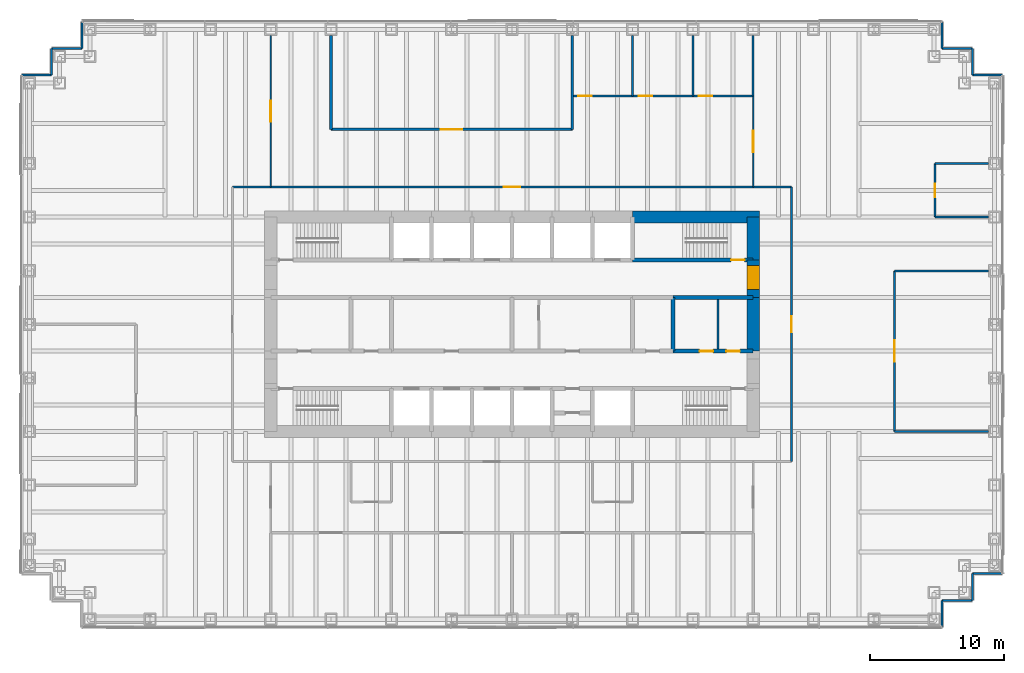
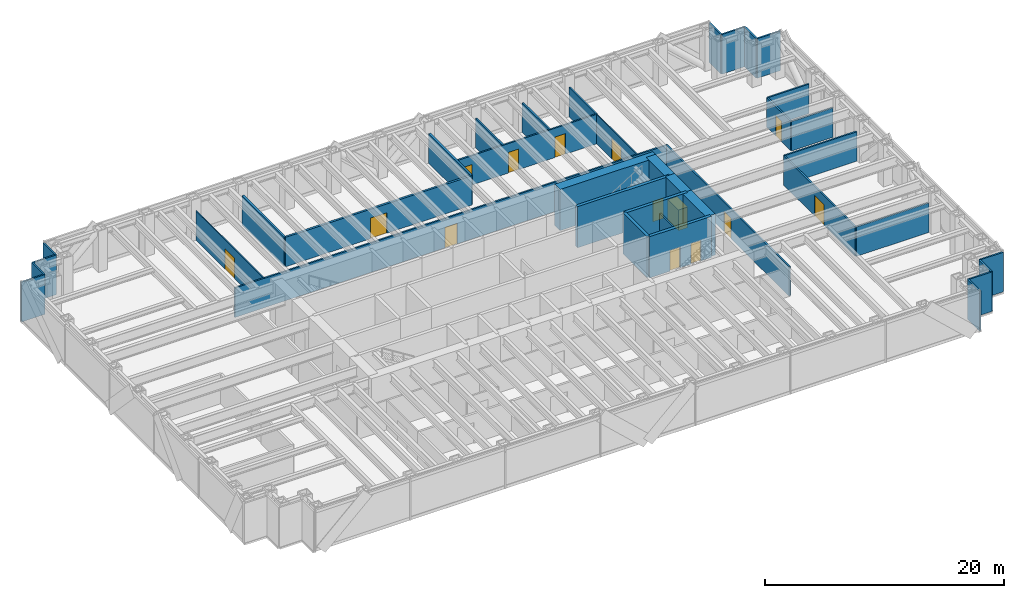
# One storey, part 13 of 15: 38 walls, 14 doors, 14 openings.
"""IFC4 building model written with IfcOpenShell, lengths in metres."""

from ifc_helpers import new_model, si_unit, direction, frame, frame_2d, origin, place, context, subcontext, project, spatial, rectangle, extrude, material, layer, layer_set, type_object, element, fill, save


model = new_model("IFC4")

# Units and contexts
model_context = context("Model", 3, precision=1e-05, world=origin(), true_north=direction((0.0, 1.0)))
body_context = subcontext(model_context, "Body", "Model", "MODEL_VIEW")
ifc_project = project(units=[si_unit("LENGTHUNIT", "METRE"), si_unit("AREAUNIT", "SQUARE_METRE"), si_unit("VOLUMEUNIT", "CUBIC_METRE"), si_unit("PLANEANGLEUNIT", "RADIAN"), si_unit("MASSUNIT", "GRAM", prefix="KILO")], contexts=[model_context])

# Site, building, storey
site_placement = place(None, origin())
site = spatial("IfcSite", under=ifc_project, at=site_placement, CompositionType="ELEMENT")
building_placement = place(site_placement, origin())
building = spatial("IfcBuilding", under=site, at=building_placement, Name="Rheinbord Bourse Tower", CompositionType="ELEMENT")
storey_placement = place(building_placement, frame((0.0, 0.0, 155.10009765625)))
storey = spatial("IfcBuildingStorey", under=building, at=storey_placement, Name="L34", CompositionType="ELEMENT", Elevation=155.10009765625)

# Wall, opening, door
ifc_material_1 = material(Name="Acoustic gypsum board partition", Category="gypsum board")
ifc_layer_1 = layer(ifc_material_1, 0.199951171875)
ifc_layer_set_1 = layer_set([ifc_layer_1], Name="ACOUSTIC PARTITION 200")
wall_type_1 = type_object("IfcWallType", Name="ACOUSTIC PARTITION 200", PredefinedType="PARTITIONING", material=ifc_layer_set_1)
wall_1_placement = place(storey_placement, frame((22.5, 38.550048828125, 0.0), z_axis=(0.0, 0.0, 1.0), x_axis=(1.0, 0.0, 0.0)))
wall_1 = element("IfcWall", 1, at=wall_1_placement, inside=storey, type_object=wall_type_1, Name="Partition L34-12", PredefinedType="PARTITIONING", context=body_context, shape_type="SweptSolid", body=[
    extrude(rectangle(XDim=18.0, YDim=0.199951171875, at=frame_2d((9.0, 0.0))), origin(), (0.0, 0.0, 1.0), 3.0),
])
opening_1_placement = place(wall_1_placement, frame((8.199951171875, 0.0, 0.0)))
opening_1 = element("IfcOpeningElement", 2, at=opening_1_placement, cuts=wall_1, Name="Opening 34D10", PredefinedType="OPENING", context=body_context, shape_type="SweptSolid", body=[
    extrude(rectangle(XDim=1.60009765625, YDim=2.10009765625, at=frame_2d((0.800048828125, 1.050048828125))), frame((0.0, 0.10986328125, 0.0), z_axis=(0.0, -1.0, 0.0), x_axis=(1.0, 0.0, 0.0)), (0.0, 0.0, 1.0), 0.219970703125),
])
ifc_material_2 = material(Name="Timber door", Category="wood")
door_type_1 = type_object("IfcDoorType", Name="DOUBLE ROOM DOOR 1600", OperationType="DOUBLE_DOOR_DOUBLE_SWING", PredefinedType="DOOR", material=ifc_material_2)
door_1_placement = place(opening_1_placement, origin())
door_1 = element("IfcDoor", 3, at=door_1_placement, inside=storey, type_object=door_type_1, Name="Trading simulation room door L34", OperationType="SINGLE_SWING_LEFT", OverallHeight=2.10009765625, OverallWidth=1.60009765625, PredefinedType="DOOR", context=body_context, shape_type="SweptSolid", body=[
    extrude(rectangle(XDim=1.60009765625, YDim=2.10009765625, at=frame_2d((0.800048828125, 1.050048828125))), frame((0.0, 0.02490234375, 0.0), z_axis=(0.0, -1.0, 0.0), x_axis=(1.0, 0.0, 0.0)), (0.0, 0.0, 1.0), 0.050048828125),
])
fill(opening_1, door_1)

# Walls
for number, where, z_axis, x_axis, name in (
    (4, (22.5, 38.550048828125, 0.0), (0.0, 0.0, 1.0), (0.0, 1.0, 0.0), "Partition L34-19"),
    (5, (40.5, 38.550048828125, 0.0), (0.0, 0.0, 1.0), (0.0, 1.0, 0.0), "Partition L34-24"),
):
    element("IfcWall", number, at=place(storey_placement, frame(where, z_axis=z_axis, x_axis=x_axis)), inside=storey, type_object=wall_type_1, Name=name, PredefinedType="PARTITIONING", context=body_context, shape_type="SweptSolid", body=[
        extrude(rectangle(XDim=7.0, YDim=0.199951171875, at=frame_2d((3.5, 0.0))), origin(), (0.0, 0.0, 1.0), 3.0),
    ])

# Wall, opening, door
ifc_material_3 = material(Name="Concrete C50/60", Category="concrete")
ifc_layer_2 = layer(ifc_material_3, 0.300048828125)
ifc_layer_set_2 = layer_set([ifc_layer_2], Name="CORE INNER WALL 300")
wall_type_2 = type_object("IfcWallType", Name="CORE INNER WALL 300", PredefinedType="SOLIDWALL", material=ifc_layer_set_2)
wall_2_placement = place(storey_placement, frame((45.0, 28.800048828125, 0.0), z_axis=(0.0, 0.0, 1.0), x_axis=(1.0, 0.0, 0.0)))
wall_2 = element("IfcWall", 6, at=wall_2_placement, inside=storey, type_object=wall_type_2, Name="Core wall B8 L34", PredefinedType="SOLIDWALL", context=body_context, shape_type="SweptSolid", body=[
    extrude(rectangle(XDim=9.0, YDim=0.300048828125, at=frame_2d((4.5, 0.0))), origin(), (0.0, 0.0, 1.0), 4.199951171875),
])
opening_2_placement = place(wall_2_placement, frame((7.35009765625, 0.0, 0.0)))
opening_2 = element("IfcOpeningElement", 7, at=opening_2_placement, cuts=wall_2, Name="Opening 3440", PredefinedType="OPENING", context=body_context, shape_type="SweptSolid", body=[
    extrude(rectangle(XDim=1.0, YDim=2.10009765625, at=frame_2d((0.5, 1.050048828125))), frame((0.0, 0.159912109375, 0.0), z_axis=(0.0, -1.0, 0.0), x_axis=(1.0, 0.0, 0.0)), (0.0, 0.0, 1.0), 0.320068359375),
])
ifc_material_4 = material(Name="Steel door", Category="steel")
door_type_2 = type_object("IfcDoorType", Name="DOOR 1000 EI30", OperationType="SINGLE_SWING_LEFT", PredefinedType="DOOR", material=ifc_material_4)
door_2_placement = place(opening_2_placement, origin())
door_2 = element("IfcDoor", 8, at=door_2_placement, inside=storey, type_object=door_type_2, Name="Stair door ST4 L34", OperationType="SINGLE_SWING_RIGHT", OverallHeight=2.10009765625, OverallWidth=1.0, PredefinedType="DOOR", context=body_context, shape_type="SweptSolid", body=[
    extrude(rectangle(XDim=1.0, YDim=2.10009765625, at=frame_2d((0.5, 1.050048828125))), frame((0.0, 0.02490234375, 0.0), z_axis=(0.0, -1.0, 0.0), x_axis=(1.0, 0.0, 0.0)), (0.0, 0.0, 1.0), 0.050048828125),
])
fill(opening_2, door_2)

# Wall, openings, doors
wall_3_placement = place(storey_placement, frame((48.0, 22.0, 0.0), z_axis=(0.0, 0.0, 1.0), x_axis=(1.0, 0.0, 0.0)))
wall_3 = element("IfcWall", 9, at=wall_3_placement, inside=storey, type_object=wall_type_2, Name="Core wall C6 L34", PredefinedType="SOLIDWALL", context=body_context, shape_type="SweptSolid", body=[
    extrude(rectangle(XDim=6.0, YDim=0.300048828125, at=frame_2d((3.0, 0.0))), origin(), (0.0, 0.0, 1.0), 4.199951171875),
])
opening_3_placement = place(wall_3_placement, frame((2.0, 0.0, 0.0)))
opening_3 = element("IfcOpeningElement", 10, at=opening_3_placement, cuts=wall_3, Name="Opening 34R6", PredefinedType="OPENING", context=body_context, shape_type="SweptSolid", body=[
    extrude(rectangle(XDim=1.0, YDim=2.10009765625, at=frame_2d((0.5, 1.050048828125))), frame((0.0, 0.159912109375, 0.0), z_axis=(0.0, -1.0, 0.0), x_axis=(1.0, 0.0, 0.0)), (0.0, 0.0, 1.0), 0.320068359375),
])
opening_4_placement = place(wall_3_placement, frame((4.0, 0.0, 0.0)))
opening_4 = element("IfcOpeningElement", 11, at=opening_4_placement, cuts=wall_3, Name="Opening 34R10", PredefinedType="OPENING", context=body_context, shape_type="SweptSolid", body=[
    extrude(rectangle(XDim=1.0, YDim=2.10009765625, at=frame_2d((0.5, 1.050048828125))), frame((0.0, 0.159912109375, 0.0), z_axis=(0.0, -1.0, 0.0), x_axis=(1.0, 0.0, 0.0)), (0.0, 0.0, 1.0), 0.320068359375),
])
door_3_placement = place(opening_4_placement, origin())
door_3 = element("IfcDoor", 12, at=door_3_placement, inside=storey, type_object=door_type_2, Name="Cleaner's store door L34", OperationType="SINGLE_SWING_RIGHT", OverallHeight=2.10009765625, OverallWidth=1.0, PredefinedType="DOOR", context=body_context, shape_type="SweptSolid", body=[
    extrude(rectangle(XDim=1.0, YDim=2.10009765625, at=frame_2d((0.5, 1.050048828125))), frame((0.0, 0.02490234375, 0.0), z_axis=(0.0, -1.0, 0.0), x_axis=(1.0, 0.0, 0.0)), (0.0, 0.0, 1.0), 0.050048828125),
])
fill(opening_4, door_3)
ifc_material_5 = material(Name="Timber door", Category="wood")
door_type_3 = type_object("IfcDoorType", Name="DOOR 1000 WC", OperationType="SINGLE_SWING_LEFT", PredefinedType="DOOR", material=ifc_material_5)
door_4_placement = place(opening_3_placement, origin())
door_4 = element("IfcDoor", 13, at=door_4_placement, inside=storey, type_object=door_type_3, Name="WC women door L34", OperationType="SINGLE_SWING_LEFT", OverallHeight=2.10009765625, OverallWidth=1.0, PredefinedType="DOOR", context=body_context, shape_type="SweptSolid", body=[
    extrude(rectangle(XDim=1.0, YDim=2.10009765625, at=frame_2d((0.5, 1.050048828125))), frame((0.0, 0.02490234375, 0.0), z_axis=(0.0, -1.0, 0.0), x_axis=(1.0, 0.0, 0.0)), (0.0, 0.0, 1.0), 0.050048828125),
])
fill(opening_3, door_4)

# Walls
wall_4_placement = place(storey_placement, frame((48.0, 26.0, 0.0), z_axis=(0.0, 0.0, 1.0), x_axis=(1.0, 0.0, 0.0)))
element("IfcWall", 14, at=wall_4_placement, inside=storey, type_object=wall_type_2, Name="Core wall D6 L34", PredefinedType="SOLIDWALL", context=body_context, shape_type="SweptSolid", body=[
    extrude(rectangle(XDim=6.0, YDim=0.300048828125, at=frame_2d((3.0, 0.0))), origin(), (0.0, 0.0, 1.0), 4.199951171875),
])
wall_5_placement = place(storey_placement, frame((48.0, 22.0, 0.0), z_axis=(0.0, 0.0, 1.0), x_axis=(0.0, 1.0, 0.0)))
element("IfcWall", 15, at=wall_5_placement, inside=storey, type_object=wall_type_2, Name="Core wall MX48 L34", PredefinedType="SOLIDWALL", context=body_context, shape_type="SweptSolid", body=[
    extrude(rectangle(XDim=4.0, YDim=0.300048828125, at=frame_2d((2.0, 0.0))), origin(), (0.0, 0.0, 1.0), 4.199951171875),
])
ifc_material_6 = material(Name="Gypsum board fire partition", Category="gypsum board")
ifc_layer_3 = layer(ifc_material_6, 0.14990234375)
ifc_layer_set_3 = layer_set([ifc_layer_3], Name="CORE PARTITION 150 EI30")
wall_type_3 = type_object("IfcWallType", Name="CORE PARTITION 150 EI30", PredefinedType="PARTITIONING", material=ifc_layer_set_3)
wall_6_placement = place(storey_placement, frame((51.375, 22.14990234375, 0.0), z_axis=(0.0, 0.0, 1.0), x_axis=(0.0, 1.0, 0.0)))
element("IfcWall", 16, at=wall_6_placement, inside=storey, type_object=wall_type_3, Name="Core partition L34-3", PredefinedType="PARTITIONING", context=body_context, shape_type="SweptSolid", body=[
    extrude(rectangle(XDim=3.7001953125, YDim=0.14990234375, at=frame_2d((1.85009765625, 0.0))), origin(), (0.0, 0.0, 1.0), 3.0),
])
ifc_material_7 = material(Name="Concrete C50/60", Category="concrete")
ifc_layer_4 = layer(ifc_material_7, 0.89990234375)
ifc_layer_set_4 = layer_set([ifc_layer_4], Name="CORE WALL 900")
wall_type_4 = type_object("IfcWallType", Name="CORE WALL 900", PredefinedType="SHEAR", material=ifc_layer_set_4)
wall_7_placement = place(storey_placement, frame((54.449951171875, 32.0, 0.0), z_axis=(0.0, 0.0, 1.0), x_axis=(-1.0, 0.0, 0.0)))
element("IfcWall", 17, at=wall_7_placement, inside=storey, type_object=wall_type_4, Name="Core wall N1 L34", PredefinedType="SHEAR", context=body_context, shape_type="SweptSolid", body=[
    extrude(rectangle(XDim=9.449951171875, YDim=0.89990234375, at=frame_2d((4.72509765625, 0.0))), origin(), (0.0, 0.0, 1.0), 4.199951171875),
])
wall_8_placement = place(storey_placement, frame((54.0, 22.0, 0.0), z_axis=(0.0, 0.0, 1.0), x_axis=(0.0, 1.0, 0.0)))
element("IfcWall", 18, at=wall_8_placement, inside=storey, type_object=wall_type_4, Name="Core wall E3 L34", PredefinedType="SHEAR", context=body_context, shape_type="SweptSolid", body=[
    extrude(rectangle(XDim=4.0, YDim=0.89990234375, at=frame_2d((2.0, 0.0))), origin(), (0.0, 0.0, 1.0), 4.199951171875),
])

# Wall, opening, door
wall_9_placement = place(storey_placement, frame((54.0, 26.0, 0.0), z_axis=(0.0, 0.0, 1.0), x_axis=(0.0, 1.0, 0.0)))
wall_9 = element("IfcWall", 19, at=wall_9_placement, inside=storey, type_object=wall_type_4, Name="Core wall E4 L34", PredefinedType="SHEAR", context=body_context, shape_type="SweptSolid", body=[
    extrude(rectangle(XDim=2.800048828125, YDim=0.89990234375, at=frame_2d((1.39990234375, 0.0))), origin(), (0.0, 0.0, 1.0), 4.199951171875),
])
opening_5_placement = place(wall_9_placement, frame((0.60009765625, 0.0, 0.0)))
opening_5 = element("IfcOpeningElement", 20, at=opening_5_placement, cuts=wall_9, Name="Opening 34L4", PredefinedType="OPENING", context=body_context, shape_type="SweptSolid", body=[
    extrude(rectangle(XDim=1.800048828125, YDim=2.10009765625, at=frame_2d((0.89990234375, 1.050048828125))), frame((0.0, 0.4599609375, 0.0), z_axis=(0.0, -1.0, 0.0), x_axis=(1.0, 0.0, 0.0)), (0.0, 0.0, 1.0), 0.919921875),
])
ifc_material_8 = material(Name="Steel door", Category="steel")
door_type_4 = type_object("IfcDoorType", Name="DOOR 1800 EI30 DOUBLE", OperationType="DOUBLE_DOOR_DOUBLE_SWING", PredefinedType="DOOR", material=ifc_material_8)
door_5_placement = place(opening_5_placement, origin())
door_5 = element("IfcDoor", 21, at=door_5_placement, inside=storey, type_object=door_type_4, Name="Lobby door 4 L34", OperationType="SINGLE_SWING_LEFT", OverallHeight=2.10009765625, OverallWidth=1.800048828125, PredefinedType="DOOR", context=body_context, shape_type="SweptSolid", body=[
    extrude(rectangle(XDim=1.800048828125, YDim=2.10009765625, at=frame_2d((0.89990234375, 1.050048828125))), frame((0.0, 0.44970703125, 0.0), z_axis=(0.0, -1.0, 0.0), x_axis=(1.0, 0.0, 0.0)), (0.0, 0.0, 1.0), 0.8994140625),
])
fill(opening_5, door_5)

# Walls
wall_10_placement = place(storey_placement, frame((54.0, 28.800048828125, 0.0), z_axis=(0.0, 0.0, 1.0), x_axis=(0.0, 1.0, 0.0)))
element("IfcWall", 22, at=wall_10_placement, inside=storey, type_object=wall_type_4, Name="Core wall E5 L34", PredefinedType="SHEAR", context=body_context, shape_type="SweptSolid", body=[
    extrude(rectangle(XDim=3.199951171875, YDim=0.89990234375, at=frame_2d((1.60009765625, 0.0))), origin(), (0.0, 0.0, 1.0), 4.199951171875),
])
ifc_material_9 = material(Name="Black metal rainscreen panel", Category="aluminium")
ifc_layer_5 = layer(ifc_material_9, 0.14990234375)
ifc_layer_set_5 = layer_set([ifc_layer_5], Name="CORNER PIER CLADDING 150")
wall_type_5 = type_object("IfcWallType", Name="CORNER PIER CLADDING 150", PredefinedType="ELEMENTEDWALL", material=ifc_layer_set_5)
wall_11_placement = place(storey_placement, frame((68.10009765625, 1.39990234375, 0.0), z_axis=(0.0, 0.0, 1.0), x_axis=(0.0, 1.0, 0.0)))
element("IfcWall", 23, at=wall_11_placement, inside=storey, type_object=wall_type_5, Name="Corner pier cladding L34 2", PredefinedType="ELEMENTEDWALL", context=body_context, shape_type="SweptSolid", body=[
    extrude(rectangle(XDim=2.0, YDim=0.14990234375, at=frame_2d((1.0, 0.0))), origin(), (0.0, 0.0, 1.0), 4.039794921875),
])
wall_12_placement = place(storey_placement, frame((68.10009765625, 3.39990234375, 0.0), z_axis=(0.0, 0.0, 1.0), x_axis=(1.0, 0.0, 0.0)))
element("IfcWall", 24, at=wall_12_placement, inside=storey, type_object=wall_type_5, Name="Corner pier cladding L34 3", PredefinedType="ELEMENTEDWALL", context=body_context, shape_type="SweptSolid", body=[
    extrude(rectangle(XDim=2.25, YDim=0.14990234375, at=frame_2d((1.125, 0.0))), origin(), (0.0, 0.0, 1.0), 4.039794921875),
])
wall_13_placement = place(storey_placement, frame((70.35009765625, 3.39990234375, 0.0), z_axis=(0.0, 0.0, 1.0), x_axis=(0.0, 1.0, 0.0)))
element("IfcWall", 25, at=wall_13_placement, inside=storey, type_object=wall_type_5, Name="Corner pier cladding L34 4", PredefinedType="ELEMENTEDWALL", context=body_context, shape_type="SweptSolid", body=[
    extrude(rectangle(XDim=2.0, YDim=0.14990234375, at=frame_2d((1.0, 0.0))), origin(), (0.0, 0.0, 1.0), 4.039794921875),
])
for number, where, z_axis, x_axis, name in (
    (26, (70.35009765625, 5.39990234375, 0.0), (0.0, 0.0, 1.0), (1.0, 0.0, 0.0), "Corner pier cladding L34 5"),
    (27, (72.60009765625, 42.60009765625, 0.0), (0.0, 0.0, 1.0), (-1.0, 0.0, 0.0), "Corner pier cladding L34 7"),
):
    element("IfcWall", number, at=place(storey_placement, frame(where, z_axis=z_axis, x_axis=x_axis)), inside=storey, type_object=wall_type_5, Name=name, PredefinedType="ELEMENTEDWALL", context=body_context, shape_type="SweptSolid", body=[
        extrude(rectangle(XDim=2.25, YDim=0.14990234375, at=frame_2d((1.125, 0.0))), origin(), (0.0, 0.0, 1.0), 4.039794921875),
    ])
wall_14_placement = place(storey_placement, frame((70.35009765625, 42.60009765625, 0.0), z_axis=(0.0, 0.0, 1.0), x_axis=(0.0, 1.0, 0.0)))
element("IfcWall", 28, at=wall_14_placement, inside=storey, type_object=wall_type_5, Name="Corner pier cladding L34 8", PredefinedType="ELEMENTEDWALL", context=body_context, shape_type="SweptSolid", body=[
    extrude(rectangle(XDim=2.0, YDim=0.14990234375, at=frame_2d((1.0, 0.0))), origin(), (0.0, 0.0, 1.0), 4.039794921875),
])
wall_15_placement = place(storey_placement, frame((70.35009765625, 44.60009765625, 0.0), z_axis=(0.0, 0.0, 1.0), x_axis=(-1.0, 0.0, 0.0)))
element("IfcWall", 29, at=wall_15_placement, inside=storey, type_object=wall_type_5, Name="Corner pier cladding L34 9", PredefinedType="ELEMENTEDWALL", context=body_context, shape_type="SweptSolid", body=[
    extrude(rectangle(XDim=2.25, YDim=0.14990234375, at=frame_2d((1.125, 0.0))), origin(), (0.0, 0.0, 1.0), 4.039794921875),
])
for number, where, z_axis, x_axis, name in (
    (30, (68.10009765625, 44.60009765625, 0.0), (0.0, 0.0, 1.0), (0.0, 1.0, 0.0), "Corner pier cladding L34 10"),
    (31, (3.89990234375, 46.60009765625, 0.0), (0.0, 0.0, 1.0), (0.0, -1.0, 0.0), "Corner pier cladding L34 12"),
):
    element("IfcWall", number, at=place(storey_placement, frame(where, z_axis=z_axis, x_axis=x_axis)), inside=storey, type_object=wall_type_5, Name=name, PredefinedType="ELEMENTEDWALL", context=body_context, shape_type="SweptSolid", body=[
        extrude(rectangle(XDim=2.0, YDim=0.14990234375, at=frame_2d((1.0, 0.0))), origin(), (0.0, 0.0, 1.0), 4.039794921875),
    ])
wall_16_placement = place(storey_placement, frame((3.89990234375, 44.60009765625, 0.0), z_axis=(0.0, 0.0, 1.0), x_axis=(-1.0, 0.0, 0.0)))
element("IfcWall", 32, at=wall_16_placement, inside=storey, type_object=wall_type_5, Name="Corner pier cladding L34 13", PredefinedType="ELEMENTEDWALL", context=body_context, shape_type="SweptSolid", body=[
    extrude(rectangle(XDim=2.25, YDim=0.14990234375, at=frame_2d((1.125, 0.0))), origin(), (0.0, 0.0, 1.0), 4.039794921875),
])
wall_17_placement = place(storey_placement, frame((1.64990234375, 44.60009765625, 0.0), z_axis=(0.0, 0.0, 1.0), x_axis=(0.0, -1.0, 0.0)))
element("IfcWall", 33, at=wall_17_placement, inside=storey, type_object=wall_type_5, Name="Corner pier cladding L34 14", PredefinedType="ELEMENTEDWALL", context=body_context, shape_type="SweptSolid", body=[
    extrude(rectangle(XDim=2.0, YDim=0.14990234375, at=frame_2d((1.0, 0.0))), origin(), (0.0, 0.0, 1.0), 4.039794921875),
])
wall_18_placement = place(storey_placement, frame((1.64990234375, 42.60009765625, 0.0), z_axis=(0.0, 0.0, 1.0), x_axis=(-1.0, 0.0, 0.0)))
element("IfcWall", 34, at=wall_18_placement, inside=storey, type_object=wall_type_5, Name="Corner pier cladding L34 15", PredefinedType="ELEMENTEDWALL", context=body_context, shape_type="SweptSolid", body=[
    extrude(rectangle(XDim=2.25, YDim=0.14990234375, at=frame_2d((1.125, 0.0))), origin(), (0.0, 0.0, 1.0), 4.039794921875),
])

# Wall, opening, door
ifc_material_10 = material(Name="Gypsum board corridor partition", Category="gypsum board")
ifc_layer_6 = layer(ifc_material_10, 0.14990234375)
ifc_layer_set_6 = layer_set([ifc_layer_6], Name="CORRIDOR PARTITION 150 EI30")
wall_type_6 = type_object("IfcWallType", Name="CORRIDOR PARTITION 150 EI30", PredefinedType="PARTITIONING", material=ifc_layer_set_6)
wall_19_placement = place(storey_placement, frame((15.14990234375, 34.25, 0.0), z_axis=(0.0, 0.0, 1.0), x_axis=(1.0, 0.0, 0.0)))
wall_19 = element("IfcWall", 35, at=wall_19_placement, inside=storey, type_object=wall_type_6, Name="Partition L34-10", PredefinedType="PARTITIONING", context=body_context, shape_type="SweptSolid", body=[
    extrude(rectangle(XDim=41.7001953125, YDim=0.14990234375, at=frame_2d((20.85009765625, 0.0))), origin(), (0.0, 0.0, 1.0), 3.0),
])
opening_6_placement = place(wall_19_placement, frame((20.25, 0.0, 0.0)))
opening_6 = element("IfcOpeningElement", 36, at=opening_6_placement, cuts=wall_19, Name="Opening 34D21", PredefinedType="OPENING", context=body_context, shape_type="SweptSolid", body=[
    extrude(rectangle(XDim=1.199951171875, YDim=2.10009765625, at=frame_2d((0.60009765625, 1.050048828125))), frame((0.0, 0.0849609375, 0.0), z_axis=(0.0, -1.0, 0.0), x_axis=(1.0, 0.0, 0.0)), (0.0, 0.0, 1.0), 0.169921875),
])
ifc_material_11 = material(Name="Timber fire door", Category="wood")
door_type_5 = type_object("IfcDoorType", Name="SUITE ENTRANCE DOOR 1200 EI30", OperationType="SINGLE_SWING_LEFT", PredefinedType="DOOR", material=ifc_material_11)
door_6_placement = place(opening_6_placement, origin())
door_6 = element("IfcDoor", 37, at=door_6_placement, inside=storey, type_object=door_type_5, Name="Suite entrance 4 door L34", OperationType="SINGLE_SWING_LEFT", OverallHeight=2.10009765625, OverallWidth=1.199951171875, PredefinedType="DOOR", context=body_context, shape_type="SweptSolid", body=[
    extrude(rectangle(XDim=1.199951171875, YDim=2.10009765625, at=frame_2d((0.60009765625, 1.050048828125))), frame((0.0, 0.02490234375, 0.0), z_axis=(0.0, -1.0, 0.0), x_axis=(1.0, 0.0, 0.0)), (0.0, 0.0, 1.0), 0.050048828125),
])
fill(opening_6, door_6)

wall_20_placement = place(storey_placement, frame((56.85009765625, 13.75, 0.0), z_axis=(0.0, 0.0, 1.0), x_axis=(0.0, 1.0, 0.0)))
wall_20 = element("IfcWall", 38, at=wall_20_placement, inside=storey, type_object=wall_type_6, Name="Partition L34-34", PredefinedType="PARTITIONING", context=body_context, shape_type="SweptSolid", body=[
    extrude(rectangle(XDim=20.5, YDim=0.14990234375, at=frame_2d((10.25, 0.0))), origin(), (0.0, 0.0, 1.0), 3.0),
])
opening_7_placement = place(wall_20_placement, frame((9.64990234375, 0.0, 0.0)))
opening_7 = element("IfcOpeningElement", 39, at=opening_7_placement, cuts=wall_20, Name="Opening 34D19", PredefinedType="OPENING", context=body_context, shape_type="SweptSolid", body=[
    extrude(rectangle(XDim=1.199951171875, YDim=2.10009765625, at=frame_2d((0.60009765625, 1.050048828125))), frame((0.0, 0.0849609375, 0.0), z_axis=(0.0, -1.0, 0.0), x_axis=(1.0, 0.0, 0.0)), (0.0, 0.0, 1.0), 0.169921875),
])
door_7_placement = place(opening_7_placement, origin())
door_7 = element("IfcDoor", 40, at=door_7_placement, inside=storey, type_object=door_type_5, Name="Suite entrance 2 door L34", OperationType="SINGLE_SWING_LEFT", OverallHeight=2.10009765625, OverallWidth=1.199951171875, PredefinedType="DOOR", context=body_context, shape_type="SweptSolid", body=[
    extrude(rectangle(XDim=1.199951171875, YDim=2.10009765625, at=frame_2d((0.60009765625, 1.050048828125))), frame((0.0, 0.02490234375, 0.0), z_axis=(0.0, -1.0, 0.0), x_axis=(1.0, 0.0, 0.0)), (0.0, 0.0, 1.0), 0.050048828125),
])
fill(opening_7, door_7)

ifc_material_12 = material(Name="Toughened laminated glass partition", Category="glass")
ifc_layer_7 = layer(ifc_material_12, 0.10009765625)
ifc_layer_set_7 = layer_set([ifc_layer_7], Name="GLAZED PARTITION 100")
wall_type_7 = type_object("IfcWallType", Name="GLAZED PARTITION 100", PredefinedType="PARTITIONING", material=ifc_layer_set_7)
wall_21_placement = place(storey_placement, frame((18.0, 34.25, 0.0), z_axis=(0.0, 0.0, 1.0), x_axis=(0.0, 1.0, 0.0)))
wall_21 = element("IfcWall", 41, at=wall_21_placement, inside=storey, type_object=wall_type_7, Name="Partition L34-18", PredefinedType="PARTITIONING", context=body_context, shape_type="SweptSolid", body=[
    extrude(rectangle(XDim=11.300048828125, YDim=0.10009765625, at=frame_2d((5.64990234375, 0.0))), origin(), (0.0, 0.0, 1.0), 3.0),
])
opening_8_placement = place(wall_21_placement, frame((4.85009765625, 0.0, 0.0)))
opening_8 = element("IfcOpeningElement", 42, at=opening_8_placement, cuts=wall_21, Name="Opening 34D15", PredefinedType="OPENING", context=body_context, shape_type="SweptSolid", body=[
    extrude(rectangle(XDim=1.60009765625, YDim=2.10009765625, at=frame_2d((0.800048828125, 1.050048828125))), frame((0.0, 0.06005859375, 0.0), z_axis=(0.0, -1.0, 0.0), x_axis=(1.0, 0.0, 0.0)), (0.0, 0.0, 1.0), 0.1201171875),
])
door_8_placement = place(opening_8_placement, origin())
door_8 = element("IfcDoor", 43, at=door_8_placement, inside=storey, type_object=door_type_1, Name="Open area door L34", OperationType="SINGLE_SWING_LEFT", OverallHeight=2.10009765625, OverallWidth=1.60009765625, PredefinedType="DOOR", context=body_context, shape_type="SweptSolid", body=[
    extrude(rectangle(XDim=1.60009765625, YDim=2.10009765625, at=frame_2d((0.800048828125, 1.050048828125))), frame((0.0, 0.02490234375, 0.0), z_axis=(0.0, -1.0, 0.0), x_axis=(1.0, 0.0, 0.0)), (0.0, 0.0, 1.0), 0.050048828125),
])
fill(opening_8, door_8)

wall_22_placement = place(storey_placement, frame((54.0, 34.25, 0.0), z_axis=(0.0, 0.0, 1.0), x_axis=(0.0, 1.0, 0.0)))
wall_22 = element("IfcWall", 44, at=wall_22_placement, inside=storey, type_object=wall_type_7, Name="Partition L34-32", PredefinedType="PARTITIONING", context=body_context, shape_type="SweptSolid", body=[
    extrude(rectangle(XDim=6.800048828125, YDim=0.10009765625, at=frame_2d((3.39990234375, 0.0))), origin(), (0.0, 0.0, 1.0), 3.0),
])
opening_9_placement = place(wall_22_placement, frame((2.60009765625, 0.0, 0.0)))
opening_9 = element("IfcOpeningElement", 45, at=opening_9_placement, cuts=wall_22, Name="Opening 34D17", PredefinedType="OPENING", context=body_context, shape_type="SweptSolid", body=[
    extrude(rectangle(XDim=1.60009765625, YDim=2.10009765625, at=frame_2d((0.800048828125, 1.050048828125))), frame((0.0, 0.06005859375, 0.0), z_axis=(0.0, -1.0, 0.0), x_axis=(1.0, 0.0, 0.0)), (0.0, 0.0, 1.0), 0.1201171875),
])
door_9_placement = place(opening_9_placement, origin())
door_9 = element("IfcDoor", 46, at=door_9_placement, inside=storey, type_object=door_type_1, Name="Open area door L34", OperationType="SINGLE_SWING_LEFT", OverallHeight=2.10009765625, OverallWidth=1.60009765625, PredefinedType="DOOR", context=body_context, shape_type="SweptSolid", body=[
    extrude(rectangle(XDim=1.60009765625, YDim=2.10009765625, at=frame_2d((0.800048828125, 1.050048828125))), frame((0.0, 0.02490234375, 0.0), z_axis=(0.0, -1.0, 0.0), x_axis=(1.0, 0.0, 0.0)), (0.0, 0.0, 1.0), 0.050048828125),
])
fill(opening_9, door_9)

# Walls
ifc_material_13 = material(Name="Gypsum board partition", Category="gypsum board")
ifc_layer_8 = layer(ifc_material_13, 0.14990234375)
ifc_layer_set_8 = layer_set([ifc_layer_8], Name="PARTITION 150")
wall_type_8 = type_object("IfcWallType", Name="PARTITION 150", PredefinedType="PARTITIONING", material=ifc_layer_set_8)
for number, where, z_axis, x_axis, name in (
    (47, (64.550048828125, 16.0, 0.0), (0.0, 0.0, 1.0), (1.0, 0.0, 0.0), "Partition L34-06"),
    (48, (64.550048828125, 28.0, 0.0), (0.0, 0.0, 1.0), (1.0, 0.0, 0.0), "Partition L34-08"),
):
    element("IfcWall", number, at=place(storey_placement, frame(where, z_axis=z_axis, x_axis=x_axis)), inside=storey, type_object=wall_type_8, Name=name, PredefinedType="PARTITIONING", context=body_context, shape_type="SweptSolid", body=[
        extrude(rectangle(XDim=7.0, YDim=0.14990234375, at=frame_2d((3.5, 0.0))), origin(), (0.0, 0.0, 1.0), 3.0),
    ])
for number, where, z_axis, x_axis, name in (
    (49, (67.550048828125, 32.0, 0.0), (0.0, 0.0, 1.0), (1.0, 0.0, 0.0), "Partition L34-09"),
    (50, (67.550048828125, 36.0, 0.0), (0.0, 0.0, 1.0), (1.0, 0.0, 0.0), "Partition L34-11"),
):
    element("IfcWall", number, at=place(storey_placement, frame(where, z_axis=z_axis, x_axis=x_axis)), inside=storey, type_object=wall_type_8, Name=name, PredefinedType="PARTITIONING", context=body_context, shape_type="SweptSolid", body=[
        extrude(rectangle(XDim=4.0, YDim=0.14990234375, at=frame_2d((2.0, 0.0))), origin(), (0.0, 0.0, 1.0), 3.0),
    ])

# Wall, openings, doors
wall_23_placement = place(storey_placement, frame((40.5, 41.050048828125, 0.0), z_axis=(0.0, 0.0, 1.0), x_axis=(1.0, 0.0, 0.0)))
wall_23 = element("IfcWall", 51, at=wall_23_placement, inside=storey, type_object=wall_type_8, Name="Partition L34-13", PredefinedType="PARTITIONING", context=body_context, shape_type="SweptSolid", body=[
    extrude(rectangle(XDim=13.5, YDim=0.14990234375, at=frame_2d((6.75, 0.0))), origin(), (0.0, 0.0, 1.0), 3.0),
])
opening_10_placement = place(wall_23_placement, frame((0.449951171875, 0.0, 0.0)))
opening_10 = element("IfcOpeningElement", 52, at=opening_10_placement, cuts=wall_23, Name="Opening 34D11", PredefinedType="OPENING", context=body_context, shape_type="SweptSolid", body=[
    extrude(rectangle(XDim=1.0, YDim=2.10009765625, at=frame_2d((0.5, 1.050048828125))), frame((0.0, 0.0849609375, 0.0), z_axis=(0.0, -1.0, 0.0), x_axis=(1.0, 0.0, 0.0)), (0.0, 0.0, 1.0), 0.169921875),
])
opening_11_placement = place(wall_23_placement, frame((4.949951171875, 0.0, 0.0)))
opening_11 = element("IfcOpeningElement", 53, at=opening_11_placement, cuts=wall_23, Name="Opening 34D12", PredefinedType="OPENING", context=body_context, shape_type="SweptSolid", body=[
    extrude(rectangle(XDim=1.0, YDim=2.10009765625, at=frame_2d((0.5, 1.050048828125))), frame((0.0, 0.0849609375, 0.0), z_axis=(0.0, -1.0, 0.0), x_axis=(1.0, 0.0, 0.0)), (0.0, 0.0, 1.0), 0.169921875),
])
opening_12_placement = place(wall_23_placement, frame((9.449951171875, 0.0, 0.0)))
opening_12 = element("IfcOpeningElement", 54, at=opening_12_placement, cuts=wall_23, Name="Opening 34D13", PredefinedType="OPENING", context=body_context, shape_type="SweptSolid", body=[
    extrude(rectangle(XDim=1.0, YDim=2.10009765625, at=frame_2d((0.5, 1.050048828125))), frame((0.0, 0.0849609375, 0.0), z_axis=(0.0, -1.0, 0.0), x_axis=(1.0, 0.0, 0.0)), (0.0, 0.0, 1.0), 0.169921875),
])
ifc_material_14 = material(Name="Timber door", Category="wood")
door_type_6 = type_object("IfcDoorType", Name="ROOM DOOR 1000", OperationType="SINGLE_SWING_LEFT", PredefinedType="DOOR", material=ifc_material_14)
door_10_placement = place(opening_10_placement, origin())
door_10 = element("IfcDoor", 55, at=door_10_placement, inside=storey, type_object=door_type_6, Name="Office door L34", OperationType="SINGLE_SWING_LEFT", OverallHeight=2.10009765625, OverallWidth=1.0, PredefinedType="DOOR", context=body_context, shape_type="SweptSolid", body=[
    extrude(rectangle(XDim=1.0, YDim=2.10009765625, at=frame_2d((0.5, 1.050048828125))), frame((0.0, 0.02490234375, 0.0), z_axis=(0.0, -1.0, 0.0), x_axis=(1.0, 0.0, 0.0)), (0.0, 0.0, 1.0), 0.050048828125),
])
fill(opening_10, door_10)
door_11_placement = place(opening_11_placement, origin())
door_11 = element("IfcDoor", 56, at=door_11_placement, inside=storey, type_object=door_type_6, Name="Office door L34", OperationType="SINGLE_SWING_LEFT", OverallHeight=2.10009765625, OverallWidth=1.0, PredefinedType="DOOR", context=body_context, shape_type="SweptSolid", body=[
    extrude(rectangle(XDim=1.0, YDim=2.10009765625, at=frame_2d((0.5, 1.050048828125))), frame((0.0, 0.02490234375, 0.0), z_axis=(0.0, -1.0, 0.0), x_axis=(1.0, 0.0, 0.0)), (0.0, 0.0, 1.0), 0.050048828125),
])
fill(opening_11, door_11)
door_12_placement = place(opening_12_placement, origin())
door_12 = element("IfcDoor", 57, at=door_12_placement, inside=storey, type_object=door_type_6, Name="Office door L34", OperationType="SINGLE_SWING_RIGHT", OverallHeight=2.10009765625, OverallWidth=1.0, PredefinedType="DOOR", context=body_context, shape_type="SweptSolid", body=[
    extrude(rectangle(XDim=1.0, YDim=2.10009765625, at=frame_2d((0.5, 1.050048828125))), frame((0.0, 0.02490234375, 0.0), z_axis=(0.0, -1.0, 0.0), x_axis=(1.0, 0.0, 0.0)), (0.0, 0.0, 1.0), 0.050048828125),
])
fill(opening_12, door_12)

# Walls
for number, where, z_axis, x_axis, name in (
    (58, (45.0, 41.050048828125, 0.0), (0.0, 0.0, 1.0), (0.0, 1.0, 0.0), "Partition L34-28"),
    (59, (49.5, 41.050048828125, 0.0), (0.0, 0.0, 1.0), (0.0, 1.0, 0.0), "Partition L34-29"),
    (60, (54.0, 41.050048828125, 0.0), (0.0, 0.0, 1.0), (0.0, 1.0, 0.0), "Partition L34-33"),
):
    element("IfcWall", number, at=place(storey_placement, frame(where, z_axis=z_axis, x_axis=x_axis)), inside=storey, type_object=wall_type_8, Name=name, PredefinedType="PARTITIONING", context=body_context, shape_type="SweptSolid", body=[
        extrude(rectangle(XDim=4.5, YDim=0.14990234375, at=frame_2d((2.25, 0.0))), origin(), (0.0, 0.0, 1.0), 3.0),
    ])

# Wall, opening, door
wall_24_placement = place(storey_placement, frame((64.550048828125, 16.0, 0.0), z_axis=(0.0, 0.0, 1.0), x_axis=(0.0, 1.0, 0.0)))
wall_24 = element("IfcWall", 61, at=wall_24_placement, inside=storey, type_object=wall_type_8, Name="Partition L34-35", PredefinedType="PARTITIONING", context=body_context, shape_type="SweptSolid", body=[
    extrude(rectangle(XDim=12.0, YDim=0.14990234375, at=frame_2d((6.0, 0.0))), origin(), (0.0, 0.0, 1.0), 3.0),
])
opening_13_placement = place(wall_24_placement, frame((5.199951171875, 0.0, 0.0)))
opening_13 = element("IfcOpeningElement", 62, at=opening_13_placement, cuts=wall_24, Name="Opening 34D08", PredefinedType="OPENING", context=body_context, shape_type="SweptSolid", body=[
    extrude(rectangle(XDim=1.60009765625, YDim=2.10009765625, at=frame_2d((0.800048828125, 1.050048828125))), frame((0.0, 0.0849609375, 0.0), z_axis=(0.0, -1.0, 0.0), x_axis=(1.0, 0.0, 0.0)), (0.0, 0.0, 1.0), 0.169921875),
])
door_13_placement = place(opening_13_placement, origin())
door_13 = element("IfcDoor", 63, at=door_13_placement, inside=storey, type_object=door_type_1, Name="Student lounge door L34", OperationType="SINGLE_SWING_LEFT", OverallHeight=2.10009765625, OverallWidth=1.60009765625, PredefinedType="DOOR", context=body_context, shape_type="SweptSolid", body=[
    extrude(rectangle(XDim=1.60009765625, YDim=2.10009765625, at=frame_2d((0.800048828125, 1.050048828125))), frame((0.0, 0.02490234375, 0.0), z_axis=(0.0, -1.0, 0.0), x_axis=(1.0, 0.0, 0.0)), (0.0, 0.0, 1.0), 0.050048828125),
])
fill(opening_13, door_13)

wall_25_placement = place(storey_placement, frame((67.550048828125, 32.0, 0.0), z_axis=(0.0, 0.0, 1.0), x_axis=(0.0, 1.0, 0.0)))
wall_25 = element("IfcWall", 64, at=wall_25_placement, inside=storey, type_object=wall_type_8, Name="Partition L34-36", PredefinedType="PARTITIONING", context=body_context, shape_type="SweptSolid", body=[
    extrude(rectangle(XDim=4.0, YDim=0.14990234375, at=frame_2d((2.0, 0.0))), origin(), (0.0, 0.0, 1.0), 3.0),
])
opening_14_placement = place(wall_25_placement, frame((1.5, 0.0, 0.0)))
opening_14 = element("IfcOpeningElement", 65, at=opening_14_placement, cuts=wall_25, Name="Opening 34D09", PredefinedType="OPENING", context=body_context, shape_type="SweptSolid", body=[
    extrude(rectangle(XDim=1.0, YDim=2.10009765625, at=frame_2d((0.5, 1.050048828125))), frame((0.0, 0.0849609375, 0.0), z_axis=(0.0, -1.0, 0.0), x_axis=(1.0, 0.0, 0.0)), (0.0, 0.0, 1.0), 0.169921875),
])
door_14_placement = place(opening_14_placement, origin())
door_14 = element("IfcDoor", 66, at=door_14_placement, inside=storey, type_object=door_type_6, Name="Store door L34", OperationType="SINGLE_SWING_LEFT", OverallHeight=2.10009765625, OverallWidth=1.0, PredefinedType="DOOR", context=body_context, shape_type="SweptSolid", body=[
    extrude(rectangle(XDim=1.0, YDim=2.10009765625, at=frame_2d((0.5, 1.050048828125))), frame((0.0, 0.02490234375, 0.0), z_axis=(0.0, -1.0, 0.0), x_axis=(1.0, 0.0, 0.0)), (0.0, 0.0, 1.0), 0.050048828125),
])
fill(opening_14, door_14)

save(model, "model.ifc")
